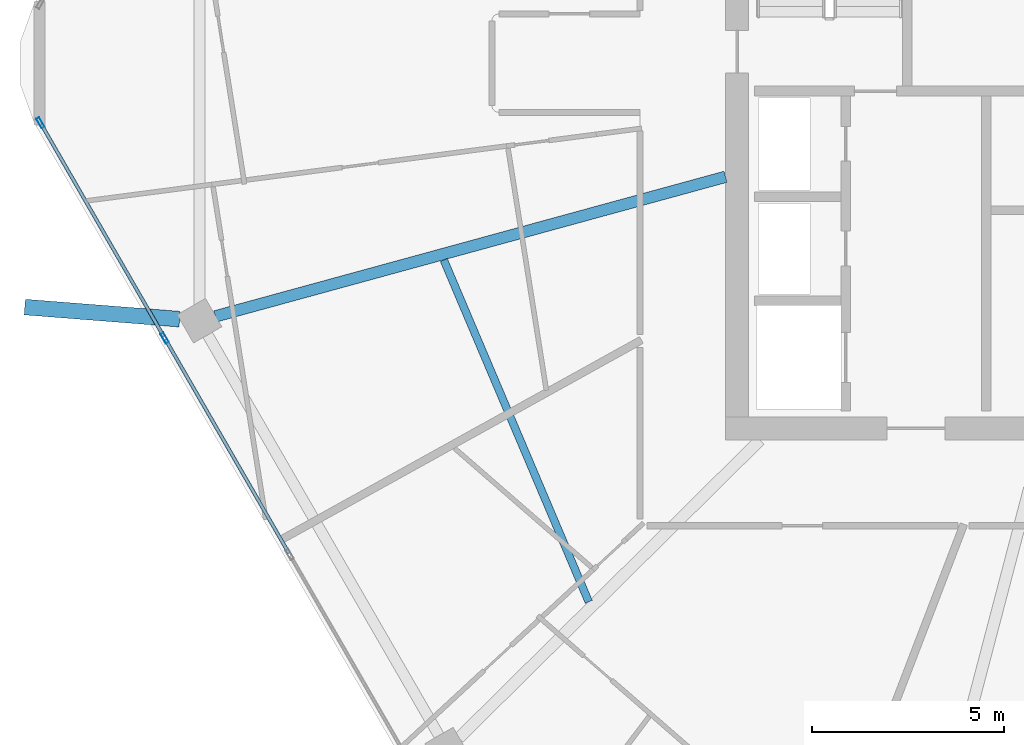
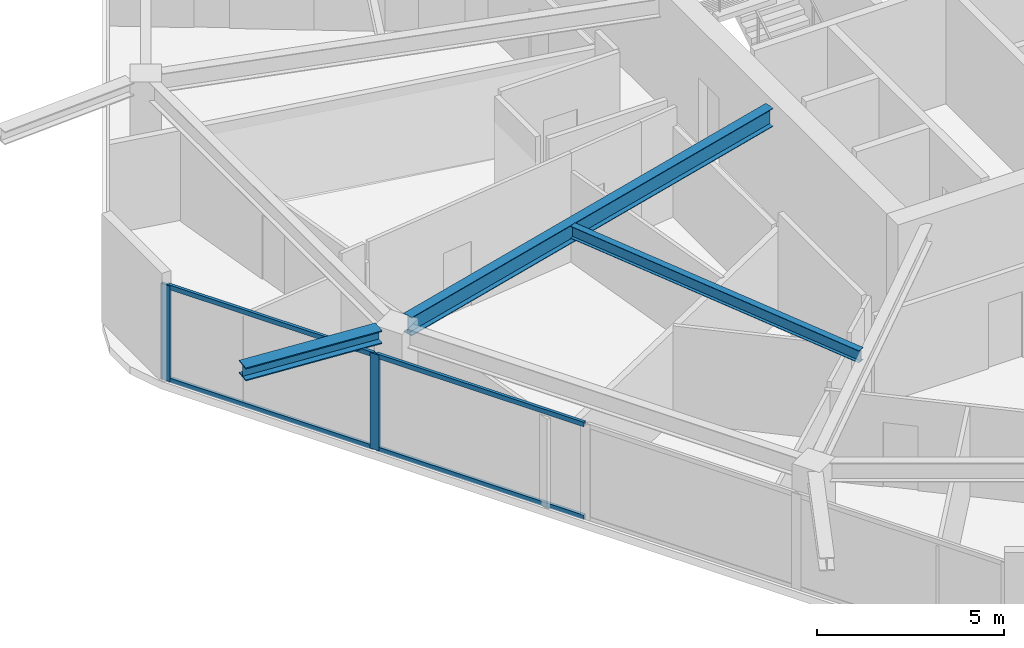
# One storey, part 5 of 26: 6 members, 3 beams, 1 element without a shape of its own.
"""IFC4 building model written with IfcOpenShell, lengths in metres."""

from ifc_helpers import new_model, si_unit, direction, frame, origin, origin_2d, place, context, subcontext, project, spatial, hollow_rectangle, i_section, extrude, material, material_profile, profile_set, type_object, element, aggregate, save


model = new_model("IFC4")

# Units and contexts
model_context = context("Model", 3, precision=1e-05, world=origin(), true_north=direction((0.0, 1.0)))
body_context = subcontext(model_context, "Body", "Model", "MODEL_VIEW")
ifc_project = project(units=[si_unit("LENGTHUNIT", "METRE"), si_unit("AREAUNIT", "SQUARE_METRE"), si_unit("VOLUMEUNIT", "CUBIC_METRE"), si_unit("PLANEANGLEUNIT", "RADIAN"), si_unit("MASSUNIT", "GRAM", prefix="KILO")], contexts=[model_context])

# Site, building, storey
site_placement = place(None, origin())
site = spatial("IfcSite", under=ifc_project, at=site_placement, CompositionType="ELEMENT")
building_placement = place(site_placement, origin())
building = spatial("IfcBuilding", under=site, at=building_placement, Name="Zuhravey Tower", CompositionType="ELEMENT")
storey_placement = place(building_placement, frame((0.0, 0.0, 288.199951171875)))
storey = spatial("IfcBuildingStorey", under=building, at=storey_placement, Name="L73", CompositionType="ELEMENT", Elevation=288.199951171875)

# Curtain wall, members
ifc_material_1 = material(Name="Thermally broken anodised aluminium", Category="aluminium")
curtain_wall_type = type_object("IfcCurtainWallType", Name="Zone 3-4 High-Rise Curtain Wall CW4", PredefinedType="NOTDEFINED", material=ifc_material_1)
curtain_wall_placement = place(storey_placement, origin())
curtain_wall = element("IfcCurtainWall", 1, at=curtain_wall_placement, inside=storey, type_object=curtain_wall_type, Name="L73 CW4 CW-L73-F4-1", PredefinedType="NOTDEFINED")
ifc_material_2 = material(Name="Anodised aluminium", Category="aluminium")
ifc_material_profile_1 = material_profile(ifc_material_2, hollow_rectangle(XDim=0.090087890625, YDim=0.284912109375, WallThickness=0.0048828125, at=origin_2d()), Name="ALU-RHS-90x285x5")
ifc_profile_set_1 = profile_set([ifc_material_profile_1], Name="Anodised aluminium")
member_type_1 = type_object("IfcMemberType", Name="Curtain-Wall Mullion 90x180", PredefinedType="MULLION", material=ifc_profile_set_1)
member_1_placement = place(storey_placement, frame((10.608154296875, 24.852783203125, 0.0), z_axis=(0.0, 0.0, 1.0), x_axis=(-0.866024851021, -0.500000957414, 0.0)))
member_1 = element("IfcMember", 2, at=member_1_placement, type_object=member_type_1, Name="CW4 mullion 4", PredefinedType="MULLION", context=body_context, shape_type="SweptSolid", body=[
    extrude(hollow_rectangle(XDim=0.090087890625, YDim=0.284912109375, WallThickness=0.0048828125, at=origin_2d()), origin(), (0.0, 0.0, 1.0), 3.1220703125),
])
member_2_placement = place(storey_placement, frame((7.37744140625, 30.448486328125, 0.0), z_axis=(0.0, 0.0, 1.0), x_axis=(-0.866024851021, -0.500000957414, 0.0)))
member_2 = element("IfcMember", 3, at=member_2_placement, type_object=member_type_1, Name="CW4 mullion 5", PredefinedType="MULLION", context=body_context, shape_type="SweptSolid", body=[
    extrude(hollow_rectangle(XDim=0.090087890625, YDim=0.284912109375, WallThickness=0.0048828125, at=origin_2d()), origin(), (0.0, 0.0, 1.0), 3.1220703125),
])
ifc_material_profile_2 = material_profile(ifc_material_2, hollow_rectangle(XDim=0.090087890625, YDim=0.14990234375, WallThickness=0.0048828125, at=origin_2d()), Name="ALU-RHS-90x150x5")
ifc_profile_set_2 = profile_set([ifc_material_profile_2], Name="Anodised aluminium")
member_type_2 = type_object("IfcMemberType", Name="Curtain-Wall Transom 90x150", PredefinedType="USERDEFINED", material=ifc_profile_set_2)
member_3_placement = place(storey_placement, frame((13.8388671875, 19.257080078125, 0.045166015625), z_axis=(-0.499998017366, 0.866026548456, 0.0), x_axis=(-0.866026548456, -0.499998017366, 0.0)))
member_3 = element("IfcMember", 4, at=member_3_placement, type_object=member_type_2, Name="CW4 transom 3.1", ObjectType="TRANSOM", PredefinedType="USERDEFINED", context=body_context, shape_type="SweptSolid", body=[
    extrude(hollow_rectangle(XDim=0.090087890625, YDim=0.14990234375, WallThickness=0.0048828125, at=origin_2d()), origin(), (0.0, 0.0, 1.0), 6.41650390625),
])
member_4_placement = place(storey_placement, frame((13.8388671875, 19.257080078125, 3.0771484375), z_axis=(-0.499998017366, 0.866026548456, 0.0), x_axis=(-0.866026548456, -0.499998017366, 0.0)))
member_4 = element("IfcMember", 5, at=member_4_placement, type_object=member_type_2, Name="CW4 transom 3.2", ObjectType="TRANSOM", PredefinedType="USERDEFINED", context=body_context, shape_type="SweptSolid", body=[
    extrude(hollow_rectangle(XDim=0.090087890625, YDim=0.14990234375, WallThickness=0.0048828125, at=origin_2d()), origin(), (0.0, 0.0, 1.0), 6.41650390625),
])
member_5_placement = place(storey_placement, frame((10.585693359375, 24.891845703125, 0.045166015625), z_axis=(-0.500008810174, 0.866020317169, 0.0), x_axis=(-0.866020317169, -0.500008810174, 0.0)))
member_5 = element("IfcMember", 6, at=member_5_placement, type_object=member_type_2, Name="CW4 transom 4.1", ObjectType="TRANSOM", PredefinedType="USERDEFINED", context=body_context, shape_type="SweptSolid", body=[
    extrude(hollow_rectangle(XDim=0.090087890625, YDim=0.14990234375, WallThickness=0.0048828125, at=origin_2d()), origin(), (0.0, 0.0, 1.0), 6.37158203125),
])
member_6_placement = place(storey_placement, frame((10.585693359375, 24.891845703125, 3.0771484375), z_axis=(-0.500008810174, 0.866020317169, 0.0), x_axis=(-0.866020317169, -0.500008810174, 0.0)))
member_6 = element("IfcMember", 7, at=member_6_placement, type_object=member_type_2, Name="CW4 transom 4.2", ObjectType="TRANSOM", PredefinedType="USERDEFINED", context=body_context, shape_type="SweptSolid", body=[
    extrude(hollow_rectangle(XDim=0.090087890625, YDim=0.14990234375, WallThickness=0.0048828125, at=origin_2d()), origin(), (0.0, 0.0, 1.0), 6.37158203125),
])
aggregate(curtain_wall, [member_1, member_2, member_3, member_4, member_5, member_6])

# Beams
ifc_material_3 = material(Name="Steel SM460", Category="steel")
ifc_material_profile_3 = material_profile(ifc_material_3, i_section(OverallWidth=0.406982421875, OverallDepth=0.427978515625, WebThickness=0.02001953125, FlangeThickness=0.034912109375, at=origin_2d()), Name="H-428x407x20x35")
ifc_profile_set_3 = profile_set([ifc_material_profile_3], Name="Steel SM460")
beam_type_1 = type_object("IfcBeamType", Name="Exoskeleton Node Tie Beam H428x407", PredefinedType="BEAM", material=ifc_profile_set_3)
beam_1_placement = place(storey_placement, frame((10.99755859375, 25.341552734375, 3.3359375), z_axis=(-0.996959133272, 0.077926161105, 0.0), x_axis=(-0.077926161105, -0.996959133272, 0.0)))
element("IfcBeam", 8, at=beam_1_placement, inside=storey, type_object=beam_type_1, Name="L73 Exoskeleton Node Tie NT1-07", PredefinedType="BEAM", context=body_context, shape_type="SweptSolid", body=[
    extrude(i_section(OverallWidth=0.406982421875, OverallDepth=0.427978515625, WebThickness=0.02001953125, FlangeThickness=0.034912109375, at=origin_2d()), origin(), (0.0, 0.0, 1.0), 4.038330078125),
])
ifc_material_4 = material(Name="Steel SM355", Category="steel")
ifc_material_profile_4 = material_profile(ifc_material_4, i_section(OverallWidth=0.300048828125, OverallDepth=0.60009765625, WebThickness=0.011962890625, FlangeThickness=0.02001953125, at=origin_2d()), Name="H-600x300x12x20")
ifc_profile_set_4 = profile_set([ifc_material_profile_4], Name="Steel SM355")
beam_type_2 = type_object("IfcBeamType", Name="Radial Primary Girder H600x300", PredefinedType="BEAM", material=ifc_profile_set_4)
beam_2_placement = place(storey_placement, frame((25.197021484375, 29.04443359375, 3.25), z_axis=(-0.964549305009, -0.263902705947, 0.0), x_axis=(0.263902705947, -0.964549305009, 0.0)))
element("IfcBeam", 9, at=beam_2_placement, inside=storey, type_object=beam_type_2, Name="L73 RG3 BM-L73-RAD-07", PredefinedType="BEAM", context=body_context, shape_type="SweptSolid", body=[
    extrude(i_section(OverallWidth=0.300048828125, OverallDepth=0.60009765625, WebThickness=0.011962890625, FlangeThickness=0.02001953125, at=origin_2d()), origin(), (0.0, 0.0, 1.0), 13.756591796875),
])
ifc_material_profile_5 = material_profile(ifc_material_4, i_section(OverallWidth=0.199951171875, OverallDepth=0.39990234375, WebThickness=0.008056640625, FlangeThickness=0.012939453125, at=origin_2d()), Name="H-400x200x8x13")
ifc_profile_set_5 = profile_set([ifc_material_profile_5], Name="Steel SM355")
beam_type_3 = type_object("IfcBeamType", Name="Secondary Floor Joist H400x200", PredefinedType="JOIST", material=ifc_profile_set_5)
beam_3_placement = place(storey_placement, frame((17.869140625, 26.881103515625, 3.35009765625), z_axis=(0.390413493754, -0.920639616731, 0.0), x_axis=(0.920639616731, 0.390413493754, 0.0)))
element("IfcBeam", 10, at=beam_3_placement, inside=storey, type_object=beam_type_3, Name="L73 SJ2 BM-L73-SJ-07-1", PredefinedType="JOIST", context=body_context, shape_type="SweptSolid", body=[
    extrude(i_section(OverallWidth=0.199951171875, OverallDepth=0.39990234375, WebThickness=0.008056640625, FlangeThickness=0.012939453125, at=origin_2d()), origin(), (0.0, 0.0, 1.0), 9.656494140625),
])

save(model, "model.ifc")
